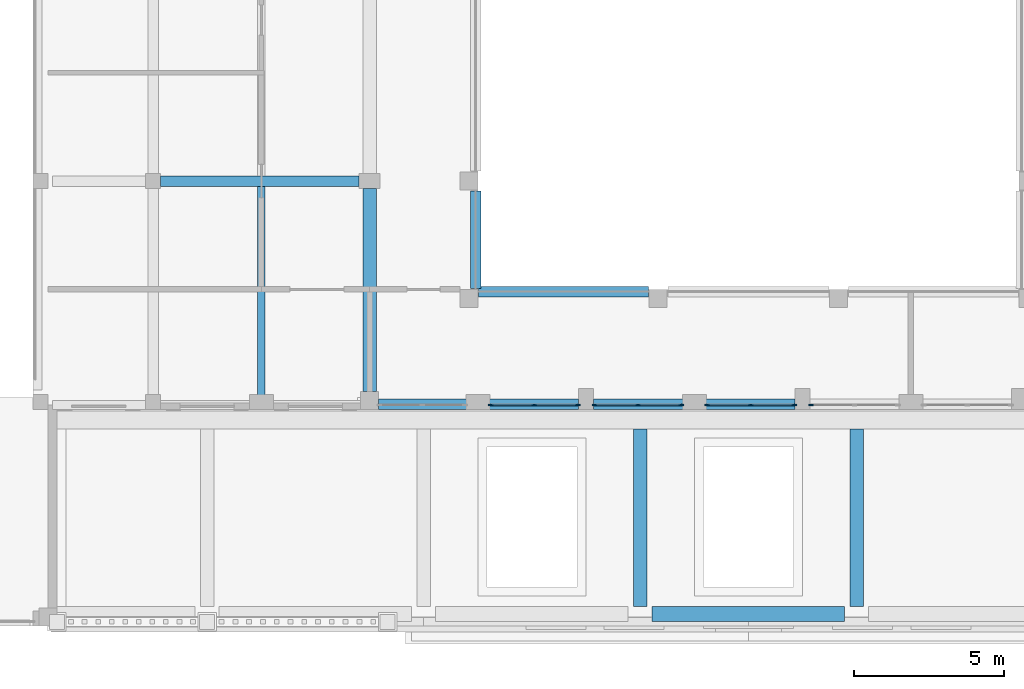
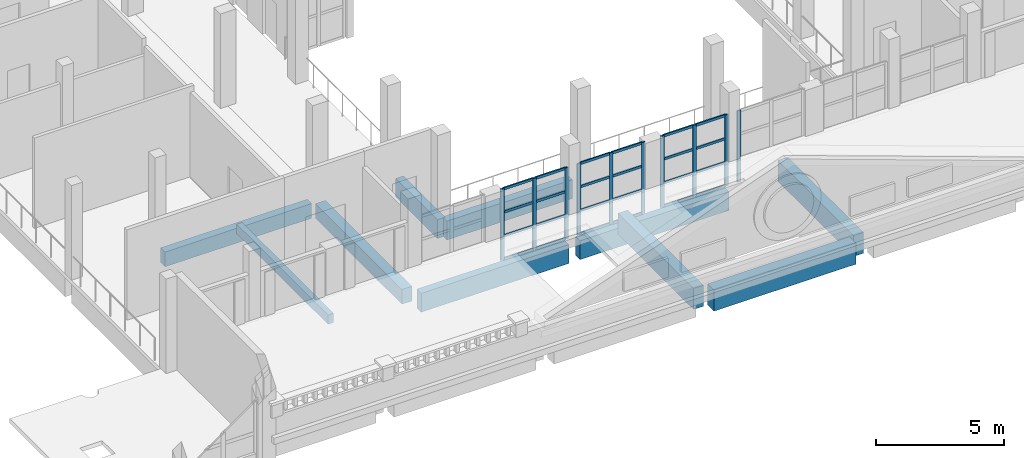
# One storey, part 5 of 58: 34 members, 10 beams, 4 elements without a shape of their own.
"""IFC4 building model written with IfcOpenShell, lengths in metres."""

from ifc_helpers import new_model, si_unit, direction, frame, origin, origin_2d, place, context, subcontext, project, spatial, rectangle, extrude, material, layer, layer_set, material_profile, profile_set, type_object, element, aggregate, save


model = new_model("IFC4")

# Units and contexts
model_context = context("Model", 3, precision=1e-05, world=origin(), true_north=direction((0.0, 1.0)))
body_context = subcontext(model_context, "Body", "Model", "MODEL_VIEW")
ifc_project = project(units=[si_unit("LENGTHUNIT", "METRE"), si_unit("AREAUNIT", "SQUARE_METRE"), si_unit("VOLUMEUNIT", "CUBIC_METRE"), si_unit("PLANEANGLEUNIT", "RADIAN"), si_unit("MASSUNIT", "GRAM", prefix="KILO")], contexts=[model_context])

# Site, building, storey
site_placement = place(None, origin())
site = spatial("IfcSite", under=ifc_project, at=site_placement, CompositionType="ELEMENT")
building_placement = place(site_placement, origin())
building = spatial("IfcBuilding", under=site, at=building_placement, Name="Ussher Court Research Institute", CompositionType="ELEMENT")
storey_placement = place(building_placement, frame((0.0, 0.0, 9.89990234375)))
storey = spatial("IfcBuildingStorey", under=building, at=storey_placement, Name="L02", CompositionType="ELEMENT", Elevation=9.89990234375)

# Curtain wall, member
ifc_material_1 = material(Name="Bronze anodised aluminium with low-e glass", Category="aluminium")
ifc_layer = layer(ifc_material_1, 0.1201171875)
ifc_layer_set = layer_set([ifc_layer], Name="Bronze anodised aluminium with low-e glass")
curtain_wall_type = type_object("IfcCurtainWallType", Name="Curtain wall atrium clear glazing", PredefinedType="NOTDEFINED", material=ifc_layer_set)
curtain_wall_1_placement = place(storey_placement, origin())
curtain_wall_1 = element("IfcCurtainWall", 1, at=curtain_wall_1_placement, inside=storey, type_object=curtain_wall_type, Name="Curtain wall CW2 L02", PredefinedType="NOTDEFINED")
ifc_material_2 = material(Name="Bronze anodised aluminium", Category="aluminium")
ifc_material_profile_1 = material_profile(ifc_material_2, rectangle(XDim=0.06005859375, YDim=0.159912109375, at=origin_2d()), Name="Mullion 60x160")
ifc_profile_set_1 = profile_set([ifc_material_profile_1], Name="Bronze anodised aluminium")
member_type_1 = type_object("IfcMemberType", Name="Mullion 60x160", PredefinedType="MULLION", material=ifc_profile_set_1)
member_1_placement = place(storey_placement, frame((53.679931640625, 10.949951171875, 0.0), z_axis=(0.0, 0.0, 1.0), x_axis=(0.0, -1.0, 0.0)))
member_1 = element("IfcMember", 2, at=member_1_placement, type_object=member_type_1, Name="CW2 mullion 3", PredefinedType="MULLION", context=body_context, shape_type="SweptSolid", body=[
    extrude(rectangle(XDim=0.06005859375, YDim=0.159912109375, at=origin_2d()), origin(), (0.0, 0.0, 1.0), 3.400146484375),
])
aggregate(curtain_wall_1, [member_1])

# Curtain wall, members
curtain_wall_2_placement = place(storey_placement, origin())
curtain_wall_2 = element("IfcCurtainWall", 3, at=curtain_wall_2_placement, inside=storey, type_object=curtain_wall_type, Name="Curtain wall CW2 L02", PredefinedType="NOTDEFINED")
member_2_placement = place(storey_placement, frame((53.1201171875, 10.949951171875, 0.0), z_axis=(0.0, 0.0, 1.0), x_axis=(0.0, -1.0, 0.0)))
member_2 = element("IfcMember", 4, at=member_2_placement, type_object=member_type_1, Name="CW2 mullion 1", PredefinedType="MULLION", context=body_context, shape_type="SweptSolid", body=[
    extrude(rectangle(XDim=0.06005859375, YDim=0.159912109375, at=origin_2d()), origin(), (0.0, 0.0, 1.0), 3.400146484375),
])
member_3_placement = place(storey_placement, frame((51.675048828125, 10.949951171875, 0.0), z_axis=(0.0, 0.0, 1.0), x_axis=(0.0, -1.0, 0.0)))
member_3 = element("IfcMember", 5, at=member_3_placement, type_object=member_type_1, Name="CW2 mullion 2", PredefinedType="MULLION", context=body_context, shape_type="SweptSolid", body=[
    extrude(rectangle(XDim=0.06005859375, YDim=0.159912109375, at=origin_2d()), origin(), (0.0, 0.0, 1.0), 3.400146484375),
])
member_4_placement = place(storey_placement, frame((50.22998046875, 10.949951171875, 0.0), z_axis=(0.0, 0.0, 1.0), x_axis=(0.0, -1.0, 0.0)))
member_4 = element("IfcMember", 6, at=member_4_placement, type_object=member_type_1, Name="CW2 mullion 3", PredefinedType="MULLION", context=body_context, shape_type="SweptSolid", body=[
    extrude(rectangle(XDim=0.06005859375, YDim=0.159912109375, at=origin_2d()), origin(), (0.0, 0.0, 1.0), 3.400146484375),
])

curtain_wall_3_placement = place(storey_placement, origin())
curtain_wall_3 = element("IfcCurtainWall", 7, at=curtain_wall_3_placement, inside=storey, type_object=curtain_wall_type, Name="Curtain wall CW2 L02", PredefinedType="NOTDEFINED")
member_5_placement = place(storey_placement, frame((49.3701171875, 10.949951171875, 0.0), z_axis=(0.0, 0.0, 1.0), x_axis=(0.0, -1.0, 0.0)))
member_5 = element("IfcMember", 8, at=member_5_placement, type_object=member_type_1, Name="CW2 mullion 1", PredefinedType="MULLION", context=body_context, shape_type="SweptSolid", body=[
    extrude(rectangle(XDim=0.06005859375, YDim=0.159912109375, at=origin_2d()), origin(), (0.0, 0.0, 1.0), 3.400146484375),
])
member_6_placement = place(storey_placement, frame((47.925048828125, 10.949951171875, 0.0), z_axis=(0.0, 0.0, 1.0), x_axis=(0.0, -1.0, 0.0)))
member_6 = element("IfcMember", 9, at=member_6_placement, type_object=member_type_1, Name="CW2 mullion 2", PredefinedType="MULLION", context=body_context, shape_type="SweptSolid", body=[
    extrude(rectangle(XDim=0.06005859375, YDim=0.159912109375, at=origin_2d()), origin(), (0.0, 0.0, 1.0), 3.400146484375),
])
member_7_placement = place(storey_placement, frame((46.47998046875, 10.949951171875, 0.0), z_axis=(0.0, 0.0, 1.0), x_axis=(0.0, -1.0, 0.0)))
member_7 = element("IfcMember", 10, at=member_7_placement, type_object=member_type_1, Name="CW2 mullion 3", PredefinedType="MULLION", context=body_context, shape_type="SweptSolid", body=[
    extrude(rectangle(XDim=0.06005859375, YDim=0.159912109375, at=origin_2d()), origin(), (0.0, 0.0, 1.0), 3.400146484375),
])

curtain_wall_4_placement = place(storey_placement, origin())
curtain_wall_4 = element("IfcCurtainWall", 11, at=curtain_wall_4_placement, inside=storey, type_object=curtain_wall_type, Name="Curtain wall CW2 L02", PredefinedType="NOTDEFINED")
member_8_placement = place(storey_placement, frame((45.919921875, 10.949951171875, 0.0), z_axis=(0.0, 0.0, 1.0), x_axis=(0.0, -1.0, 0.0)))
member_8 = element("IfcMember", 12, at=member_8_placement, type_object=member_type_1, Name="CW2 mullion 1", PredefinedType="MULLION", context=body_context, shape_type="SweptSolid", body=[
    extrude(rectangle(XDim=0.06005859375, YDim=0.159912109375, at=origin_2d()), origin(), (0.0, 0.0, 1.0), 3.400146484375),
])
member_9_placement = place(storey_placement, frame((44.47509765625, 10.949951171875, 0.0), z_axis=(0.0, 0.0, 1.0), x_axis=(0.0, -1.0, 0.0)))
member_9 = element("IfcMember", 13, at=member_9_placement, type_object=member_type_1, Name="CW2 mullion 2", PredefinedType="MULLION", context=body_context, shape_type="SweptSolid", body=[
    extrude(rectangle(XDim=0.06005859375, YDim=0.159912109375, at=origin_2d()), origin(), (0.0, 0.0, 1.0), 3.400146484375),
])
member_10_placement = place(storey_placement, frame((43.030029296875, 10.949951171875, 0.0), z_axis=(0.0, 0.0, 1.0), x_axis=(0.0, -1.0, 0.0)))
member_10 = element("IfcMember", 14, at=member_10_placement, type_object=member_type_1, Name="CW2 mullion 3", PredefinedType="MULLION", context=body_context, shape_type="SweptSolid", body=[
    extrude(rectangle(XDim=0.06005859375, YDim=0.159912109375, at=origin_2d()), origin(), (0.0, 0.0, 1.0), 3.400146484375),
])

# Beams
ifc_material_3 = material(Name="Concrete C35/45", Category="concrete")
ifc_material_profile_2 = material_profile(ifc_material_3, rectangle(XDim=0.25, YDim=0.449951171875, at=origin_2d()), Name="RC 250x450")
ifc_profile_set_2 = profile_set([ifc_material_profile_2], Name="Concrete C35/45")
beam_type_1 = type_object("IfcBeamType", Name="RC 250x450 beam", PredefinedType="BEAM", material=ifc_profile_set_2)
beam_1_placement = place(storey_placement, frame((35.39990234375, 11.10009765625, -0.224853515625), z_axis=(0.0, 1.0, 0.0), x_axis=(-1.0, 0.0, 0.0)))
element("IfcBeam", 15, at=beam_1_placement, inside=storey, type_object=beam_type_1, Name="B1 V7 L02-01", PredefinedType="BEAM", context=body_context, shape_type="SweptSolid", body=[
    extrude(rectangle(XDim=0.25, YDim=0.449951171875, at=origin_2d()), origin(), (0.0, 0.0, 1.0), 7.125),
])
ifc_material_4 = material(Name="Concrete C35/45", Category="concrete")
ifc_material_profile_3 = material_profile(ifc_material_4, rectangle(XDim=0.35009765625, YDim=0.699951171875, at=origin_2d()), Name="RC 350x700")
ifc_profile_set_3 = profile_set([ifc_material_profile_3], Name="Concrete C35/45")
beam_type_2 = type_object("IfcBeamType", Name="RC 350x700 beam", PredefinedType="BEAM", material=ifc_profile_set_3)
beam_2_placement = place(storey_placement, frame((32.050048828125, 18.39990234375, -0.5498046875), z_axis=(1.0, 0.0, 0.0), x_axis=(0.0, 1.0, 0.0)))
element("IfcBeam", 16, at=beam_2_placement, inside=storey, type_object=beam_type_2, Name="B16 V7 L02-02", PredefinedType="BEAM", context=body_context, shape_type="SweptSolid", body=[
    extrude(rectangle(XDim=0.35009765625, YDim=0.699951171875, at=origin_2d()), origin(), (0.0, 0.0, 1.0), 6.599853515625),
])
ifc_material_5 = material(Name="Concrete C35/45", Category="concrete")
ifc_material_profile_4 = material_profile(ifc_material_5, rectangle(XDim=0.35009765625, YDim=0.89990234375, at=origin_2d()), Name="RC 350x900")
ifc_profile_set_4 = profile_set([ifc_material_profile_4], Name="Concrete C35/45")
beam_type_3 = type_object("IfcBeamType", Name="RC 350x900 beam", PredefinedType="BEAM", material=ifc_profile_set_4)
beam_3_placement = place(storey_placement, frame((39.300048828125, 10.97509765625, -0.64990234375), z_axis=(1.0, 0.0, 0.0), x_axis=(0.0, 1.0, 0.0)))
element("IfcBeam", 17, at=beam_3_placement, inside=storey, type_object=beam_type_3, Name="SB1 V2 L02-01", PredefinedType="BEAM", context=body_context, shape_type="SweptSolid", body=[
    extrude(rectangle(XDim=0.35009765625, YDim=0.89990234375, at=origin_2d()), origin(), (0.0, 0.0, 1.0), 6.64990234375),
])
beam_4_placement = place(storey_placement, frame((46.449951171875, 10.97509765625, -0.64990234375), z_axis=(1.0, 0.0, 0.0), x_axis=(0.0, 1.0, 0.0)))
element("IfcBeam", 18, at=beam_4_placement, inside=storey, type_object=beam_type_3, Name="SB1 V2 L02-02", PredefinedType="BEAM", context=body_context, shape_type="SweptSolid", body=[
    extrude(rectangle(XDim=0.35009765625, YDim=0.89990234375, at=origin_2d()), origin(), (0.0, 0.0, 1.0), 6.699951171875),
])
beam_5_placement = place(storey_placement, frame((42.52490234375, 14.824951171875, -0.64990234375), z_axis=(0.0, 1.0, 0.0), x_axis=(-1.0, 0.0, 0.0)))
element("IfcBeam", 19, at=beam_5_placement, inside=storey, type_object=beam_type_3, Name="SB1 V2 L02-09", PredefinedType="BEAM", context=body_context, shape_type="SweptSolid", body=[
    extrude(rectangle(XDim=0.35009765625, YDim=0.89990234375, at=origin_2d()), origin(), (0.0, 0.0, 1.0), 3.25),
])
beam_6_placement = place(storey_placement, frame((42.625, 14.72509765625, -0.64990234375), z_axis=(1.0, 0.0, 0.0), x_axis=(0.0, 1.0, 0.0)))
element("IfcBeam", 20, at=beam_6_placement, inside=storey, type_object=beam_type_3, Name="SB1 V2 L02-17", PredefinedType="BEAM", context=body_context, shape_type="SweptSolid", body=[
    extrude(rectangle(XDim=0.35009765625, YDim=0.89990234375, at=origin_2d()), origin(), (0.0, 0.0, 1.0), 5.64990234375),
])
ifc_material_6 = material(Name="Concrete C35/45", Category="concrete")
ifc_material_profile_5 = material_profile(ifc_material_6, rectangle(XDim=0.449951171875, YDim=1.0, at=origin_2d()), Name="RC 450x1000")
ifc_profile_set_5 = profile_set([ifc_material_profile_5], Name="Concrete C35/45")
beam_type_4 = type_object("IfcBeamType", Name="RC 450x1000 beam", PredefinedType="BEAM", material=ifc_profile_set_5)
for number, where, z_axis, x_axis, name in (
    (21, (48.0, 4.25, 0.5400390625), (0.0, 1.0, 0.0), (-1.0, 0.0, 0.0), "B19 V6 L02-03"),
    (22, (55.199951171875, 4.25, 0.5400390625), (0.0, 1.0, 0.0), (-1.0, 0.0, 0.0), "B19 V6 L02-04"),
):
    element("IfcBeam", number, at=place(storey_placement, frame(where, z_axis=z_axis, x_axis=x_axis)), inside=storey, type_object=beam_type_4, Name=name, PredefinedType="BEAM", context=body_context, shape_type="SweptSolid", body=[
        extrude(rectangle(XDim=0.449951171875, YDim=1.0, at=origin_2d()), origin(), (0.0, 0.0, 1.0), 5.89990234375),
    ])
ifc_material_7 = material(Name="Concrete C35/45", Category="concrete")
ifc_material_profile_6 = material_profile(ifc_material_7, rectangle(XDim=0.449951171875, YDim=0.699951171875, at=origin_2d()), Name="RC 450x700")
ifc_profile_set_6 = profile_set([ifc_material_profile_6], Name="Concrete C35/45")
beam_type_5 = type_object("IfcBeamType", Name="RC 450x700 beam", PredefinedType="BEAM", material=ifc_profile_set_6)
beam_7_placement = place(storey_placement, frame((39.0, 11.39990234375, -0.5498046875), z_axis=(0.0, 1.0, 0.0), x_axis=(-1.0, 0.0, 0.0)))
element("IfcBeam", 23, at=beam_7_placement, inside=storey, type_object=beam_type_5, Name="B10 V2 L02-01", PredefinedType="BEAM", context=body_context, shape_type="SweptSolid", body=[
    extrude(rectangle(XDim=0.449951171875, YDim=0.699951171875, at=origin_2d()), origin(), (0.0, 0.0, 1.0), 6.75),
])
ifc_material_8 = material(Name="Concrete C35/45", Category="concrete")
ifc_material_profile_7 = material_profile(ifc_material_8, rectangle(XDim=0.5, YDim=1.0, at=origin_2d()), Name="RC 500x1000")
ifc_profile_set_7 = profile_set([ifc_material_profile_7], Name="Concrete C35/45")
beam_type_6 = type_object("IfcBeamType", Name="RC 500x1000 beam", PredefinedType="BEAM", material=ifc_profile_set_7)
beam_8_placement = place(storey_placement, frame((48.39990234375, 4.0, 0.5400390625), z_axis=(1.0, 0.0, 0.0), x_axis=(0.0, 1.0, 0.0)))
element("IfcBeam", 24, at=beam_8_placement, inside=storey, type_object=beam_type_6, Name="B12 V6 L02-04", PredefinedType="BEAM", context=body_context, shape_type="SweptSolid", body=[
    extrude(rectangle(XDim=0.5, YDim=1.0, at=origin_2d()), origin(), (0.0, 0.0, 1.0), 6.400146484375),
])

# Member
ifc_material_9 = material(Name="Bronze anodised aluminium", Category="aluminium")
ifc_material_profile_8 = material_profile(ifc_material_9, rectangle(XDim=0.06005859375, YDim=0.1201171875, at=origin_2d()), Name="Transom 60x120")
ifc_profile_set_8 = profile_set([ifc_material_profile_8], Name="Bronze anodised aluminium")
member_type_2 = type_object("IfcMemberType", Name="Transom 60x120", PredefinedType="USERDEFINED", material=ifc_profile_set_8)
member_11_placement = place(storey_placement, frame((53.090087890625, 10.949951171875, 0.030029296875), z_axis=(-1.0, 0.0, 0.0), x_axis=(0.0, -1.0, 0.0)))
member_11 = element("IfcMember", 25, at=member_11_placement, type_object=member_type_2, Name="CW2 transom 1.1", ObjectType="TRANSOM", PredefinedType="USERDEFINED", context=body_context, shape_type="SweptSolid", body=[
    extrude(rectangle(XDim=0.06005859375, YDim=0.1201171875, at=origin_2d()), origin(), (0.0, 0.0, 1.0), 1.385009765625),
])

member_12_placement = place(storey_placement, frame((53.090087890625, 10.949951171875, 1.13330078125), z_axis=(-1.0, 0.0, 0.0), x_axis=(0.0, -1.0, 0.0)))
member_12 = element("IfcMember", 26, at=member_12_placement, type_object=member_type_2, Name="CW2 transom 1.2", ObjectType="TRANSOM", PredefinedType="USERDEFINED", context=body_context, shape_type="SweptSolid", body=[
    extrude(rectangle(XDim=0.06005859375, YDim=0.1201171875, at=origin_2d()), origin(), (0.0, 0.0, 1.0), 1.385009765625),
])

member_13_placement = place(storey_placement, frame((53.090087890625, 10.949951171875, 2.266845703125), z_axis=(-1.0, 0.0, 0.0), x_axis=(0.0, -1.0, 0.0)))
member_13 = element("IfcMember", 27, at=member_13_placement, type_object=member_type_2, Name="CW2 transom 1.3", ObjectType="TRANSOM", PredefinedType="USERDEFINED", context=body_context, shape_type="SweptSolid", body=[
    extrude(rectangle(XDim=0.06005859375, YDim=0.1201171875, at=origin_2d()), origin(), (0.0, 0.0, 1.0), 1.385009765625),
])

member_14_placement = place(storey_placement, frame((53.090087890625, 10.949951171875, 3.3701171875), z_axis=(-1.0, 0.0, 0.0), x_axis=(0.0, -1.0, 0.0)))
member_14 = element("IfcMember", 28, at=member_14_placement, type_object=member_type_2, Name="CW2 transom 1.4", ObjectType="TRANSOM", PredefinedType="USERDEFINED", context=body_context, shape_type="SweptSolid", body=[
    extrude(rectangle(XDim=0.06005859375, YDim=0.1201171875, at=origin_2d()), origin(), (0.0, 0.0, 1.0), 1.385009765625),
])

member_15_placement = place(storey_placement, frame((51.64501953125, 10.949951171875, 0.030029296875), z_axis=(-1.0, 0.0, 0.0), x_axis=(0.0, -1.0, 0.0)))
member_15 = element("IfcMember", 29, at=member_15_placement, type_object=member_type_2, Name="CW2 transom 2.1", ObjectType="TRANSOM", PredefinedType="USERDEFINED", context=body_context, shape_type="SweptSolid", body=[
    extrude(rectangle(XDim=0.06005859375, YDim=0.1201171875, at=origin_2d()), origin(), (0.0, 0.0, 1.0), 1.385009765625),
])

member_16_placement = place(storey_placement, frame((51.64501953125, 10.949951171875, 1.13330078125), z_axis=(-1.0, 0.0, 0.0), x_axis=(0.0, -1.0, 0.0)))
member_16 = element("IfcMember", 30, at=member_16_placement, type_object=member_type_2, Name="CW2 transom 2.2", ObjectType="TRANSOM", PredefinedType="USERDEFINED", context=body_context, shape_type="SweptSolid", body=[
    extrude(rectangle(XDim=0.06005859375, YDim=0.1201171875, at=origin_2d()), origin(), (0.0, 0.0, 1.0), 1.385009765625),
])

member_17_placement = place(storey_placement, frame((51.64501953125, 10.949951171875, 2.266845703125), z_axis=(-1.0, 0.0, 0.0), x_axis=(0.0, -1.0, 0.0)))
member_17 = element("IfcMember", 31, at=member_17_placement, type_object=member_type_2, Name="CW2 transom 2.3", ObjectType="TRANSOM", PredefinedType="USERDEFINED", context=body_context, shape_type="SweptSolid", body=[
    extrude(rectangle(XDim=0.06005859375, YDim=0.1201171875, at=origin_2d()), origin(), (0.0, 0.0, 1.0), 1.385009765625),
])

member_18_placement = place(storey_placement, frame((51.64501953125, 10.949951171875, 3.3701171875), z_axis=(-1.0, 0.0, 0.0), x_axis=(0.0, -1.0, 0.0)))
member_18 = element("IfcMember", 32, at=member_18_placement, type_object=member_type_2, Name="CW2 transom 2.4", ObjectType="TRANSOM", PredefinedType="USERDEFINED", context=body_context, shape_type="SweptSolid", body=[
    extrude(rectangle(XDim=0.06005859375, YDim=0.1201171875, at=origin_2d()), origin(), (0.0, 0.0, 1.0), 1.385009765625),
])

aggregate(curtain_wall_2, [member_2, member_3, member_4, member_11, member_12, member_13, member_14, member_15, member_16, member_17, member_18])

member_19_placement = place(storey_placement, frame((49.340087890625, 10.949951171875, 0.030029296875), z_axis=(-1.0, 0.0, 0.0), x_axis=(0.0, -1.0, 0.0)))
member_19 = element("IfcMember", 33, at=member_19_placement, type_object=member_type_2, Name="CW2 transom 1.1", ObjectType="TRANSOM", PredefinedType="USERDEFINED", context=body_context, shape_type="SweptSolid", body=[
    extrude(rectangle(XDim=0.06005859375, YDim=0.1201171875, at=origin_2d()), origin(), (0.0, 0.0, 1.0), 1.385009765625),
])

member_20_placement = place(storey_placement, frame((49.340087890625, 10.949951171875, 1.13330078125), z_axis=(-1.0, 0.0, 0.0), x_axis=(0.0, -1.0, 0.0)))
member_20 = element("IfcMember", 34, at=member_20_placement, type_object=member_type_2, Name="CW2 transom 1.2", ObjectType="TRANSOM", PredefinedType="USERDEFINED", context=body_context, shape_type="SweptSolid", body=[
    extrude(rectangle(XDim=0.06005859375, YDim=0.1201171875, at=origin_2d()), origin(), (0.0, 0.0, 1.0), 1.385009765625),
])

member_21_placement = place(storey_placement, frame((49.340087890625, 10.949951171875, 2.266845703125), z_axis=(-1.0, 0.0, 0.0), x_axis=(0.0, -1.0, 0.0)))
member_21 = element("IfcMember", 35, at=member_21_placement, type_object=member_type_2, Name="CW2 transom 1.3", ObjectType="TRANSOM", PredefinedType="USERDEFINED", context=body_context, shape_type="SweptSolid", body=[
    extrude(rectangle(XDim=0.06005859375, YDim=0.1201171875, at=origin_2d()), origin(), (0.0, 0.0, 1.0), 1.385009765625),
])

member_22_placement = place(storey_placement, frame((49.340087890625, 10.949951171875, 3.3701171875), z_axis=(-1.0, 0.0, 0.0), x_axis=(0.0, -1.0, 0.0)))
member_22 = element("IfcMember", 36, at=member_22_placement, type_object=member_type_2, Name="CW2 transom 1.4", ObjectType="TRANSOM", PredefinedType="USERDEFINED", context=body_context, shape_type="SweptSolid", body=[
    extrude(rectangle(XDim=0.06005859375, YDim=0.1201171875, at=origin_2d()), origin(), (0.0, 0.0, 1.0), 1.385009765625),
])

member_23_placement = place(storey_placement, frame((47.89501953125, 10.949951171875, 0.030029296875), z_axis=(-1.0, 0.0, 0.0), x_axis=(0.0, -1.0, 0.0)))
member_23 = element("IfcMember", 37, at=member_23_placement, type_object=member_type_2, Name="CW2 transom 2.1", ObjectType="TRANSOM", PredefinedType="USERDEFINED", context=body_context, shape_type="SweptSolid", body=[
    extrude(rectangle(XDim=0.06005859375, YDim=0.1201171875, at=origin_2d()), origin(), (0.0, 0.0, 1.0), 1.385009765625),
])

member_24_placement = place(storey_placement, frame((47.89501953125, 10.949951171875, 1.13330078125), z_axis=(-1.0, 0.0, 0.0), x_axis=(0.0, -1.0, 0.0)))
member_24 = element("IfcMember", 38, at=member_24_placement, type_object=member_type_2, Name="CW2 transom 2.2", ObjectType="TRANSOM", PredefinedType="USERDEFINED", context=body_context, shape_type="SweptSolid", body=[
    extrude(rectangle(XDim=0.06005859375, YDim=0.1201171875, at=origin_2d()), origin(), (0.0, 0.0, 1.0), 1.385009765625),
])

member_25_placement = place(storey_placement, frame((47.89501953125, 10.949951171875, 2.266845703125), z_axis=(-1.0, 0.0, 0.0), x_axis=(0.0, -1.0, 0.0)))
member_25 = element("IfcMember", 39, at=member_25_placement, type_object=member_type_2, Name="CW2 transom 2.3", ObjectType="TRANSOM", PredefinedType="USERDEFINED", context=body_context, shape_type="SweptSolid", body=[
    extrude(rectangle(XDim=0.06005859375, YDim=0.1201171875, at=origin_2d()), origin(), (0.0, 0.0, 1.0), 1.385009765625),
])

member_26_placement = place(storey_placement, frame((47.89501953125, 10.949951171875, 3.3701171875), z_axis=(-1.0, 0.0, 0.0), x_axis=(0.0, -1.0, 0.0)))
member_26 = element("IfcMember", 40, at=member_26_placement, type_object=member_type_2, Name="CW2 transom 2.4", ObjectType="TRANSOM", PredefinedType="USERDEFINED", context=body_context, shape_type="SweptSolid", body=[
    extrude(rectangle(XDim=0.06005859375, YDim=0.1201171875, at=origin_2d()), origin(), (0.0, 0.0, 1.0), 1.385009765625),
])

aggregate(curtain_wall_3, [member_5, member_6, member_7, member_19, member_20, member_21, member_22, member_23, member_24, member_25, member_26])

member_27_placement = place(storey_placement, frame((45.889892578125, 10.949951171875, 0.030029296875), z_axis=(-1.0, 0.0, 0.0), x_axis=(0.0, -1.0, 0.0)))
member_27 = element("IfcMember", 41, at=member_27_placement, type_object=member_type_2, Name="CW2 transom 1.1", ObjectType="TRANSOM", PredefinedType="USERDEFINED", context=body_context, shape_type="SweptSolid", body=[
    extrude(rectangle(XDim=0.06005859375, YDim=0.1201171875, at=origin_2d()), origin(), (0.0, 0.0, 1.0), 1.385009765625),
])

member_28_placement = place(storey_placement, frame((45.889892578125, 10.949951171875, 1.13330078125), z_axis=(-1.0, 0.0, 0.0), x_axis=(0.0, -1.0, 0.0)))
member_28 = element("IfcMember", 42, at=member_28_placement, type_object=member_type_2, Name="CW2 transom 1.2", ObjectType="TRANSOM", PredefinedType="USERDEFINED", context=body_context, shape_type="SweptSolid", body=[
    extrude(rectangle(XDim=0.06005859375, YDim=0.1201171875, at=origin_2d()), origin(), (0.0, 0.0, 1.0), 1.385009765625),
])

member_29_placement = place(storey_placement, frame((45.889892578125, 10.949951171875, 2.266845703125), z_axis=(-1.0, 0.0, 0.0), x_axis=(0.0, -1.0, 0.0)))
member_29 = element("IfcMember", 43, at=member_29_placement, type_object=member_type_2, Name="CW2 transom 1.3", ObjectType="TRANSOM", PredefinedType="USERDEFINED", context=body_context, shape_type="SweptSolid", body=[
    extrude(rectangle(XDim=0.06005859375, YDim=0.1201171875, at=origin_2d()), origin(), (0.0, 0.0, 1.0), 1.385009765625),
])

member_30_placement = place(storey_placement, frame((45.889892578125, 10.949951171875, 3.3701171875), z_axis=(-1.0, 0.0, 0.0), x_axis=(0.0, -1.0, 0.0)))
member_30 = element("IfcMember", 44, at=member_30_placement, type_object=member_type_2, Name="CW2 transom 1.4", ObjectType="TRANSOM", PredefinedType="USERDEFINED", context=body_context, shape_type="SweptSolid", body=[
    extrude(rectangle(XDim=0.06005859375, YDim=0.1201171875, at=origin_2d()), origin(), (0.0, 0.0, 1.0), 1.385009765625),
])

member_31_placement = place(storey_placement, frame((44.445068359375, 10.949951171875, 0.030029296875), z_axis=(-1.0, 0.0, 0.0), x_axis=(0.0, -1.0, 0.0)))
member_31 = element("IfcMember", 45, at=member_31_placement, type_object=member_type_2, Name="CW2 transom 2.1", ObjectType="TRANSOM", PredefinedType="USERDEFINED", context=body_context, shape_type="SweptSolid", body=[
    extrude(rectangle(XDim=0.06005859375, YDim=0.1201171875, at=origin_2d()), origin(), (0.0, 0.0, 1.0), 1.385009765625),
])

member_32_placement = place(storey_placement, frame((44.445068359375, 10.949951171875, 1.13330078125), z_axis=(-1.0, 0.0, 0.0), x_axis=(0.0, -1.0, 0.0)))
member_32 = element("IfcMember", 46, at=member_32_placement, type_object=member_type_2, Name="CW2 transom 2.2", ObjectType="TRANSOM", PredefinedType="USERDEFINED", context=body_context, shape_type="SweptSolid", body=[
    extrude(rectangle(XDim=0.06005859375, YDim=0.1201171875, at=origin_2d()), origin(), (0.0, 0.0, 1.0), 1.385009765625),
])

member_33_placement = place(storey_placement, frame((44.445068359375, 10.949951171875, 2.266845703125), z_axis=(-1.0, 0.0, 0.0), x_axis=(0.0, -1.0, 0.0)))
member_33 = element("IfcMember", 47, at=member_33_placement, type_object=member_type_2, Name="CW2 transom 2.3", ObjectType="TRANSOM", PredefinedType="USERDEFINED", context=body_context, shape_type="SweptSolid", body=[
    extrude(rectangle(XDim=0.06005859375, YDim=0.1201171875, at=origin_2d()), origin(), (0.0, 0.0, 1.0), 1.385009765625),
])

member_34_placement = place(storey_placement, frame((44.445068359375, 10.949951171875, 3.3701171875), z_axis=(-1.0, 0.0, 0.0), x_axis=(0.0, -1.0, 0.0)))
member_34 = element("IfcMember", 48, at=member_34_placement, type_object=member_type_2, Name="CW2 transom 2.4", ObjectType="TRANSOM", PredefinedType="USERDEFINED", context=body_context, shape_type="SweptSolid", body=[
    extrude(rectangle(XDim=0.06005859375, YDim=0.1201171875, at=origin_2d()), origin(), (0.0, 0.0, 1.0), 1.385009765625),
])

aggregate(curtain_wall_4, [member_8, member_9, member_10, member_27, member_28, member_29, member_30, member_31, member_32, member_33, member_34])

save(model, "model.ifc")
